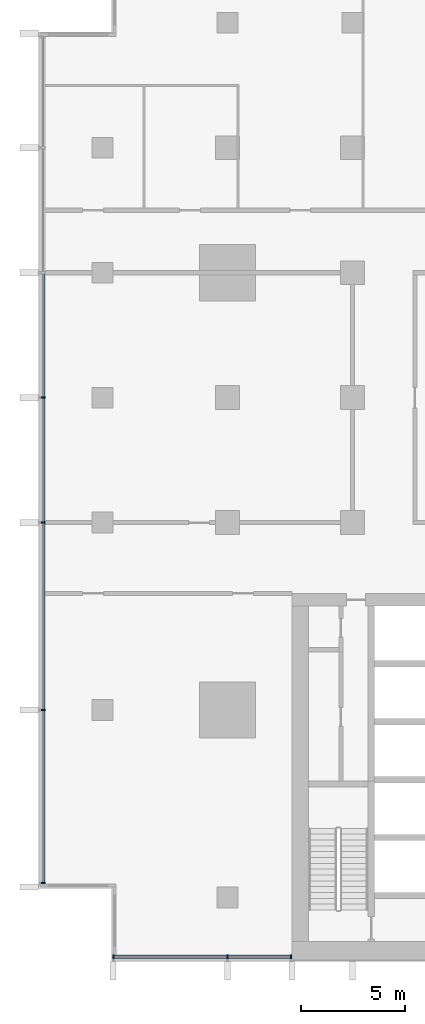
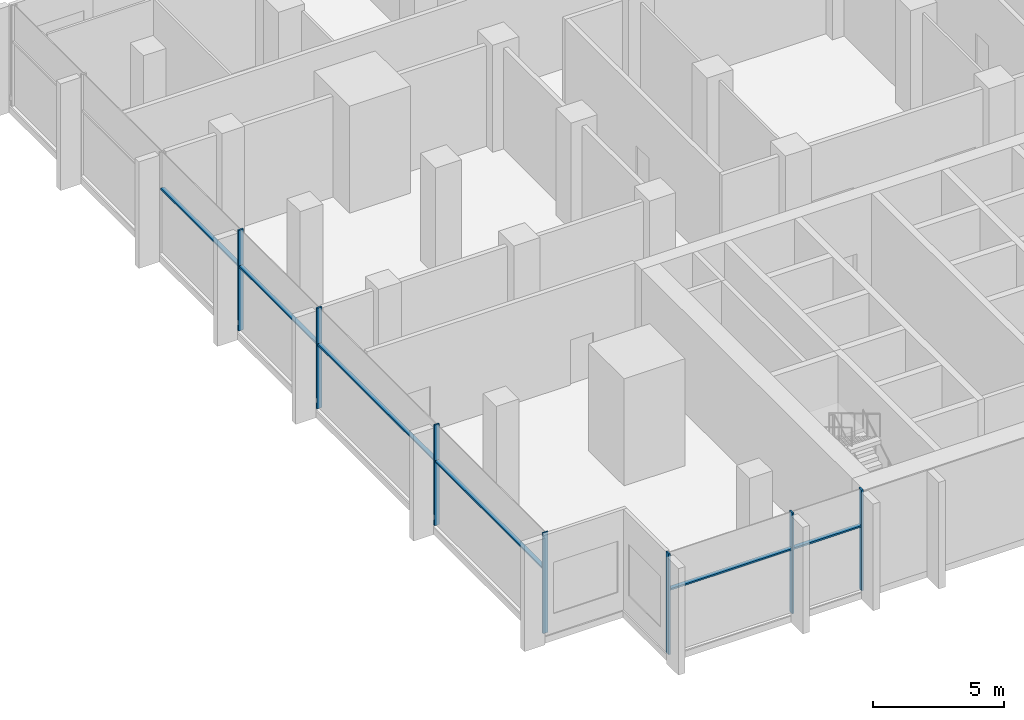
# One storey, part 2 of 14: 13 members, 2 elements without a shape of their own.
"""IFC4 building model written with IfcOpenShell, lengths in metres."""

import ifcopenshell
import ifcopenshell.guid

model = None  # the IFC model being written
_history = None  # IfcOwnerHistory: only IFC2X3 demands one
_inside = {}  # id of a spatial element -> (the spatial element, [elements in it])
_under = {}  # id of a project, library or spatial element -> (it, [spatial elements below it])
_declared = {}  # id of a project -> (the project, [libraries it declares])
_typed = {}  # id of a type object -> (the type object, [elements of that type])
_made_of = {}  # id of a material, layer set ... -> (it, [elements and type objects made of it])


def new_model(schema):
    """Start an empty IFC model of exactly this schema.

    Asked for "IFC4X3", IfcOpenShell would pick the latest addendum, in which some entities
    have other attributes; the version numbers below select the first issue.
    IFC2X3 requires an IfcOwnerHistory on every rooted entity: one is made here for all.
    """
    global model, _history
    if schema == "IFC4X3":
        model = ifcopenshell.file(schema_version=(4, 3, 0, 0))
    else:
        model = ifcopenshell.file(schema=schema)
    _inside.clear()
    _under.clear()
    _declared.clear()
    _typed.clear()
    _made_of.clear()
    _history = None
    if model.schema == "IFC2X3":
        org = make("IfcOrganization", Name="unknown")
        user = make(
            "IfcPersonAndOrganization",
            ThePerson=make("IfcPerson", FamilyName="unknown"),
            TheOrganization=org,
        )
        app = make(
            "IfcApplication",
            ApplicationDeveloper=org,
            Version="unknown",
            ApplicationFullName="unknown",
            ApplicationIdentifier="unknown",
        )
        _history = make(
            "IfcOwnerHistory",
            OwningUser=user,
            OwningApplication=app,
            ChangeAction="ADDED",
            CreationDate=0,
        )
    return model


def make(cls, **values):
    """One entity of the class cls with the attributes given. An attribute that is None is left unset."""
    return model.create_entity(
        cls, **{name: value for name, value in values.items() if value is not None}
    )


def rooted(cls, **values):
    """An entity with a GlobalId (a new one), such as an element, a storey or a relation."""
    return make(cls, GlobalId=ifcopenshell.guid.new(), OwnerHistory=_history, **values)


def si_unit(unit_type, name, prefix=None):
    """IfcSIUnit, for example si_unit("LENGTHUNIT", "METRE", prefix="MILLI")."""
    return make("IfcSIUnit", UnitType=unit_type, Prefix=prefix, Name=name)


def assignment(units):
    """IfcUnitAssignment: the units of a project."""
    return None if units is None else make("IfcUnitAssignment", Units=units)


def point(xyz):
    """IfcCartesianPoint."""
    return None if xyz is None else make("IfcCartesianPoint", Coordinates=xyz)


def direction(xyz):
    """IfcDirection."""
    return None if xyz is None else make("IfcDirection", DirectionRatios=xyz)


def frame(location, z_axis=None, x_axis=None):
    """IfcAxis2Placement3D, a coordinate frame: its origin and axes. An axis left out is left unset."""
    return make(
        "IfcAxis2Placement3D",
        Location=point(location),
        Axis=direction(z_axis),
        RefDirection=direction(x_axis),
    )


def frame_2d(location, x_axis=None):
    """IfcAxis2Placement2D, a coordinate frame in the plane: its origin and x axis."""
    return make(
        "IfcAxis2Placement2D", Location=point(location), RefDirection=direction(x_axis)
    )


def origin():
    """The frame at (0, 0, 0) with its axes left unset."""
    return frame((0.0, 0.0, 0.0))


def origin_2d():
    """The frame at (0, 0) in the plane with its x axis left unset."""
    return frame_2d((0.0, 0.0))


def place(relative_to, where):
    """IfcLocalPlacement: puts the frame where relative to a parent placement (None: the world)."""
    return make(
        "IfcLocalPlacement", PlacementRelTo=relative_to, RelativePlacement=where
    )


def context(
    kind, dimensions, precision=None, world=None, true_north=None, identifier=None
):
    """IfcGeometricRepresentationContext, for example the 3D "Model" context."""
    return make(
        "IfcGeometricRepresentationContext",
        ContextIdentifier=identifier,
        ContextType=kind,
        CoordinateSpaceDimension=dimensions,
        Precision=precision,
        WorldCoordinateSystem=world,
        TrueNorth=true_north,
    )


def subcontext(parent, identifier, kind, view, scale=None):
    """IfcGeometricRepresentationSubContext, for example "Body" below "Model"."""
    return make(
        "IfcGeometricRepresentationSubContext",
        ContextIdentifier=identifier,
        ContextType=kind,
        ParentContext=parent,
        TargetScale=scale,
        TargetView=view,
    )


def project(units=None, contexts=None):
    """IfcProject with its units and contexts."""
    return rooted(
        "IfcProject",
        Name="project",
        RepresentationContexts=contexts,
        UnitsInContext=assignment(units),
    )


def spatial(cls, under=None, at=None, **own):
    """A site, building, storey or space (cls), placed at a placement, below another one or the project."""
    s = rooted(cls, ObjectPlacement=at, **own)
    if under is not None:
        _under.setdefault(under.id(), (under, []))[1].append(s)
    return s


def profile(cls, at=None, kind="AREA", **sizes):
    """A parametric profile (cls). Its sizes go by their IFC names, for example OverallWidth=200.0."""
    return make(cls, ProfileType=kind, Position=at, **sizes)


def rectangle(**sizes):
    """IfcRectangleProfileDef."""
    return profile("IfcRectangleProfileDef", **sizes)


def extrude(swept, where, along, depth):
    """IfcExtrudedAreaSolid: the profile swept, set in the frame where, extruded along a direction by depth."""
    return make(
        "IfcExtrudedAreaSolid",
        SweptArea=swept,
        Position=where,
        ExtrudedDirection=direction(along),
        Depth=depth,
    )


def shape(context_of_items, identifier, shape_type, items):
    """IfcShapeRepresentation: the items that make up one representation, for example the "Body"."""
    return make(
        "IfcShapeRepresentation",
        ContextOfItems=context_of_items,
        RepresentationIdentifier=identifier,
        RepresentationType=shape_type,
        Items=items,
    )


def material(Name=None, Category=None):
    """IfcMaterial."""
    return make("IfcMaterial", Name=Name, Category=Category)


def material_profile(
    of_material, cross_section, Name=None, Category=None, Priority=None
):
    """IfcMaterialProfile: a cross section and its material."""
    return make(
        "IfcMaterialProfile",
        Name=Name,
        Material=of_material,
        Profile=cross_section,
        Priority=Priority,
        Category=Category,
    )


def profile_set(profiles, Name=None, composite=None):
    """IfcMaterialProfileSet."""
    return make(
        "IfcMaterialProfileSet",
        Name=Name,
        MaterialProfiles=profiles,
        CompositeProfile=composite,
    )


def made_of(thing, what):
    """Note that an element or type object is made of a material, layer set ...; save() writes the relation."""
    if what is not None:
        _made_of.setdefault(what.id(), (what, []))[1].append(thing)
    return thing


def type_object(cls, material=None, **own):
    """A type object (cls), such as IfcWallType, which elements share."""
    return made_of(rooted(cls, **own), material)


def element(
    cls,
    number,
    at=None,
    inside=None,
    cuts=None,
    type_object=None,
    material=None,
    context=None,
    identifier="Body",
    shape_type=None,
    held_by="IfcProductDefinitionShape",
    body=None,
    shapes=None,
    **own,
):
    """One element of the class cls, such as IfcWall. Its Tag is "e" and its number.

    at: its placement. inside: the storey or other place that contains it. cuts: it is an
    opening in that element (IfcRelVoidsElement). A single representation is given by context,
    identifier, shape_type and body (its items); several are given by shapes. held_by: the class
    of the entity that holds the representations. save() writes the other relations.
    """
    e = rooted(cls, Tag="e%d" % number, ObjectPlacement=at, **own)
    if body is not None:
        shapes = [shape(context, identifier, shape_type, body)]
    if shapes is not None:
        e.Representation = make(held_by, Representations=shapes)
    if inside is not None:
        _inside.setdefault(inside.id(), (inside, []))[1].append(e)
    if cuts is not None:
        rooted(
            "IfcRelVoidsElement", RelatingBuildingElement=cuts, RelatedOpeningElement=e
        )
    if type_object is not None:
        _typed.setdefault(type_object.id(), (type_object, []))[1].append(e)
    return made_of(e, material)


def aggregate(whole, parts):
    """IfcRelAggregates: a whole, such as a stair, and the parts it consists of."""
    return rooted("IfcRelAggregates", RelatingObject=whole, RelatedObjects=parts)


def save(model, path):
    """Write the relations noted so far, then the file.

    IfcRelAggregates (storeys below a building ...), IfcRelContainedInSpatialStructure (elements
    in a storey), IfcRelDefinesByType, IfcRelAssociatesMaterial and IfcRelDeclares: one each for
    every whole, place, type object, material and project.
    """
    for whole, parts in _under.values():
        aggregate(whole, parts)
    for where, things in _inside.values():
        rooted(
            "IfcRelContainedInSpatialStructure",
            RelatedElements=things,
            RelatingStructure=where,
        )
    for kind, things in _typed.values():
        rooted("IfcRelDefinesByType", RelatedObjects=things, RelatingType=kind)
    for what, things in _made_of.values():
        rooted("IfcRelAssociatesMaterial", RelatedObjects=things, RelatingMaterial=what)
    for by, libraries in _declared.values():
        rooted("IfcRelDeclares", RelatingContext=by, RelatedDefinitions=libraries)
    model.write(path)


model = new_model("IFC4")

# Units and contexts
model_context = context("Model", 3, precision=1e-05, world=origin(), true_north=direction((0.0, 1.0)))
body_context = subcontext(model_context, "Body", "Model", "MODEL_VIEW")
ifc_project = project(units=[si_unit("LENGTHUNIT", "METRE"), si_unit("AREAUNIT", "SQUARE_METRE"), si_unit("VOLUMEUNIT", "CUBIC_METRE"), si_unit("PLANEANGLEUNIT", "RADIAN"), si_unit("MASSUNIT", "GRAM", prefix="KILO")], contexts=[model_context])

# Site, building, storey
site_placement = place(None, origin())
site = spatial("IfcSite", under=ifc_project, at=site_placement, CompositionType="ELEMENT")
building_placement = place(site_placement, origin())
building = spatial("IfcBuilding", under=site, at=building_placement, Name="Finial Court Residences", CompositionType="ELEMENT")
storey_placement = place(building_placement, frame((0.0, 0.0, 133.89990234375)))
storey = spatial("IfcBuildingStorey", under=building, at=storey_placement, Name="L33", CompositionType="ELEMENT", Elevation=133.89990234375)

# Curtain wall, members
ifc_material = material(Name="Bronze anodised aluminium", Category="aluminium")
curtain_wall_type = type_object("IfcCurtainWallType", Name="Sky amenity glazing", PredefinedType="NOTDEFINED", material=ifc_material)
curtain_wall_1_placement = place(storey_placement, origin())
curtain_wall_1 = element("IfcCurtainWall", 1, at=curtain_wall_1_placement, inside=storey, type_object=curtain_wall_type, Name="E-L33-CW-S3", PredefinedType="NOTDEFINED")
ifc_material_profile_1 = material_profile(ifc_material, rectangle(XDim=0.22509765625, YDim=0.074951171875, at=origin_2d()), Name="CW3 mullion 75 x 225")
ifc_profile_set_1 = profile_set([ifc_material_profile_1], Name="Bronze anodised aluminium")
member_type_1 = type_object("IfcMemberType", Name="CW3 mullion 75 x 225", PredefinedType="MULLION", material=ifc_profile_set_1)
member_1_placement = place(storey_placement, frame((-21.96240234375, -25.35009765625, 0.0), z_axis=(0.0, 0.0, 1.0), x_axis=(0.0, 1.0, 0.0)))
member_1 = element("IfcMember", 2, at=member_1_placement, type_object=member_type_1, Name="CW3 mullion 1", PredefinedType="MULLION", context=body_context, shape_type="SweptSolid", body=[
    extrude(rectangle(XDim=0.22509765625, YDim=0.074951171875, at=origin_2d()), origin(), (0.0, 0.0, 1.0), 4.7001953125),
])
member_2_placement = place(storey_placement, frame((-16.5, -25.35009765625, 0.0), z_axis=(0.0, 0.0, 1.0), x_axis=(0.0, 1.0, 0.0)))
member_2 = element("IfcMember", 3, at=member_2_placement, type_object=member_type_1, Name="CW3 mullion 2", PredefinedType="MULLION", context=body_context, shape_type="SweptSolid", body=[
    extrude(rectangle(XDim=0.22509765625, YDim=0.074951171875, at=origin_2d()), origin(), (0.0, 0.0, 1.0), 4.7001953125),
])
member_3_placement = place(storey_placement, frame((-13.4375, -25.35009765625, 0.0), z_axis=(0.0, 0.0, 1.0), x_axis=(0.0, 1.0, 0.0)))
member_3 = element("IfcMember", 4, at=member_3_placement, type_object=member_type_1, Name="CW3 mullion 3", PredefinedType="MULLION", context=body_context, shape_type="SweptSolid", body=[
    extrude(rectangle(XDim=0.22509765625, YDim=0.074951171875, at=origin_2d()), origin(), (0.0, 0.0, 1.0), 4.7001953125),
])

curtain_wall_2_placement = place(storey_placement, origin())
curtain_wall_2 = element("IfcCurtainWall", 5, at=curtain_wall_2_placement, inside=storey, type_object=curtain_wall_type, Name="E-L33-CW-W5", PredefinedType="NOTDEFINED")
member_4_placement = place(storey_placement, frame((-25.35009765625, -21.8125, 0.0), z_axis=(0.0, 0.0, 1.0), x_axis=(-1.0, 0.0, 0.0)))
member_4 = element("IfcMember", 6, at=member_4_placement, type_object=member_type_1, Name="CW3 mullion 1", PredefinedType="MULLION", context=body_context, shape_type="SweptSolid", body=[
    extrude(rectangle(XDim=0.22509765625, YDim=0.074951171875, at=origin_2d()), origin(), (0.0, 0.0, 1.0), 4.7001953125),
])
member_5_placement = place(storey_placement, frame((-25.35009765625, -13.5, 0.0), z_axis=(0.0, 0.0, 1.0), x_axis=(-1.0, 0.0, 0.0)))
member_5 = element("IfcMember", 7, at=member_5_placement, type_object=member_type_1, Name="CW3 mullion 2", PredefinedType="MULLION", context=body_context, shape_type="SweptSolid", body=[
    extrude(rectangle(XDim=0.22509765625, YDim=0.074951171875, at=origin_2d()), origin(), (0.0, 0.0, 1.0), 4.7001953125),
])
member_6_placement = place(storey_placement, frame((-25.35009765625, -4.5, 0.0), z_axis=(0.0, 0.0, 1.0), x_axis=(-1.0, 0.0, 0.0)))
member_6 = element("IfcMember", 8, at=member_6_placement, type_object=member_type_1, Name="CW3 mullion 3", PredefinedType="MULLION", context=body_context, shape_type="SweptSolid", body=[
    extrude(rectangle(XDim=0.22509765625, YDim=0.074951171875, at=origin_2d()), origin(), (0.0, 0.0, 1.0), 4.7001953125),
])
member_7_placement = place(storey_placement, frame((-25.35009765625, 1.5, 0.0), z_axis=(0.0, 0.0, 1.0), x_axis=(-1.0, 0.0, 0.0)))
member_7 = element("IfcMember", 9, at=member_7_placement, type_object=member_type_1, Name="CW3 mullion 4", PredefinedType="MULLION", context=body_context, shape_type="SweptSolid", body=[
    extrude(rectangle(XDim=0.22509765625, YDim=0.074951171875, at=origin_2d()), origin(), (0.0, 0.0, 1.0), 4.7001953125),
])

# Member
ifc_material_profile_2 = material_profile(ifc_material, rectangle(XDim=0.175048828125, YDim=0.074951171875, at=origin_2d()), Name="CW3 transom 75 x 175")
ifc_profile_set_2 = profile_set([ifc_material_profile_2], Name="Bronze anodised aluminium")
member_type_2 = type_object("IfcMemberType", Name="CW3 transom 75 x 175", PredefinedType="USERDEFINED", material=ifc_profile_set_2)
member_8_placement = place(storey_placement, frame((-21.925048828125, -25.35009765625, 3.0), z_axis=(1.0, 0.0, 0.0), x_axis=(0.0, 1.0, 0.0)))
member_8 = element("IfcMember", 10, at=member_8_placement, type_object=member_type_2, Name="CW3 transom 1.1", ObjectType="TRANSOM", PredefinedType="USERDEFINED", context=body_context, shape_type="SweptSolid", body=[
    extrude(rectangle(XDim=0.175048828125, YDim=0.074951171875, at=origin_2d()), origin(), (0.0, 0.0, 1.0), 5.387451171875),
])

member_9_placement = place(storey_placement, frame((-16.46240234375, -25.35009765625, 3.0), z_axis=(1.0, 0.0, 0.0), x_axis=(0.0, 1.0, 0.0)))
member_9 = element("IfcMember", 11, at=member_9_placement, type_object=member_type_2, Name="CW3 transom 2.1", ObjectType="TRANSOM", PredefinedType="USERDEFINED", context=body_context, shape_type="SweptSolid", body=[
    extrude(rectangle(XDim=0.175048828125, YDim=0.074951171875, at=origin_2d()), origin(), (0.0, 0.0, 1.0), 2.9873046875),
])

aggregate(curtain_wall_1, [member_1, member_2, member_3, member_8, member_9])

member_10_placement = place(storey_placement, frame((-25.35009765625, -21.77490234375, 3.0), z_axis=(0.0, 1.0, 0.0), x_axis=(-1.0, 0.0, 0.0)))
member_10 = element("IfcMember", 12, at=member_10_placement, type_object=member_type_2, Name="CW3 transom 1.1", ObjectType="TRANSOM", PredefinedType="USERDEFINED", context=body_context, shape_type="SweptSolid", body=[
    extrude(rectangle(XDim=0.175048828125, YDim=0.074951171875, at=origin_2d()), origin(), (0.0, 0.0, 1.0), 8.2373046875),
])

member_11_placement = place(storey_placement, frame((-25.35009765625, -13.46240234375, 3.0), z_axis=(0.0, 1.0, 0.0), x_axis=(-1.0, 0.0, 0.0)))
member_11 = element("IfcMember", 13, at=member_11_placement, type_object=member_type_2, Name="CW3 transom 2.1", ObjectType="TRANSOM", PredefinedType="USERDEFINED", context=body_context, shape_type="SweptSolid", body=[
    extrude(rectangle(XDim=0.175048828125, YDim=0.074951171875, at=origin_2d()), origin(), (0.0, 0.0, 1.0), 8.9248046875),
])

member_12_placement = place(storey_placement, frame((-25.35009765625, -4.46240234375, 3.0), z_axis=(0.0, 1.0, 0.0), x_axis=(-1.0, 0.0, 0.0)))
member_12 = element("IfcMember", 14, at=member_12_placement, type_object=member_type_2, Name="CW3 transom 3.1", ObjectType="TRANSOM", PredefinedType="USERDEFINED", context=body_context, shape_type="SweptSolid", body=[
    extrude(rectangle(XDim=0.175048828125, YDim=0.074951171875, at=origin_2d()), origin(), (0.0, 0.0, 1.0), 5.9248046875),
])

member_13_placement = place(storey_placement, frame((-25.35009765625, 1.53759765625, 3.0), z_axis=(0.0, 1.0, 0.0), x_axis=(-1.0, 0.0, 0.0)))
member_13 = element("IfcMember", 15, at=member_13_placement, type_object=member_type_2, Name="CW3 transom 4.1", ObjectType="TRANSOM", PredefinedType="USERDEFINED", context=body_context, shape_type="SweptSolid", body=[
    extrude(rectangle(XDim=0.175048828125, YDim=0.074951171875, at=origin_2d()), origin(), (0.0, 0.0, 1.0), 5.9248046875),
])

aggregate(curtain_wall_2, [member_4, member_5, member_6, member_7, member_10, member_11, member_12, member_13])

save(model, "model.ifc")
